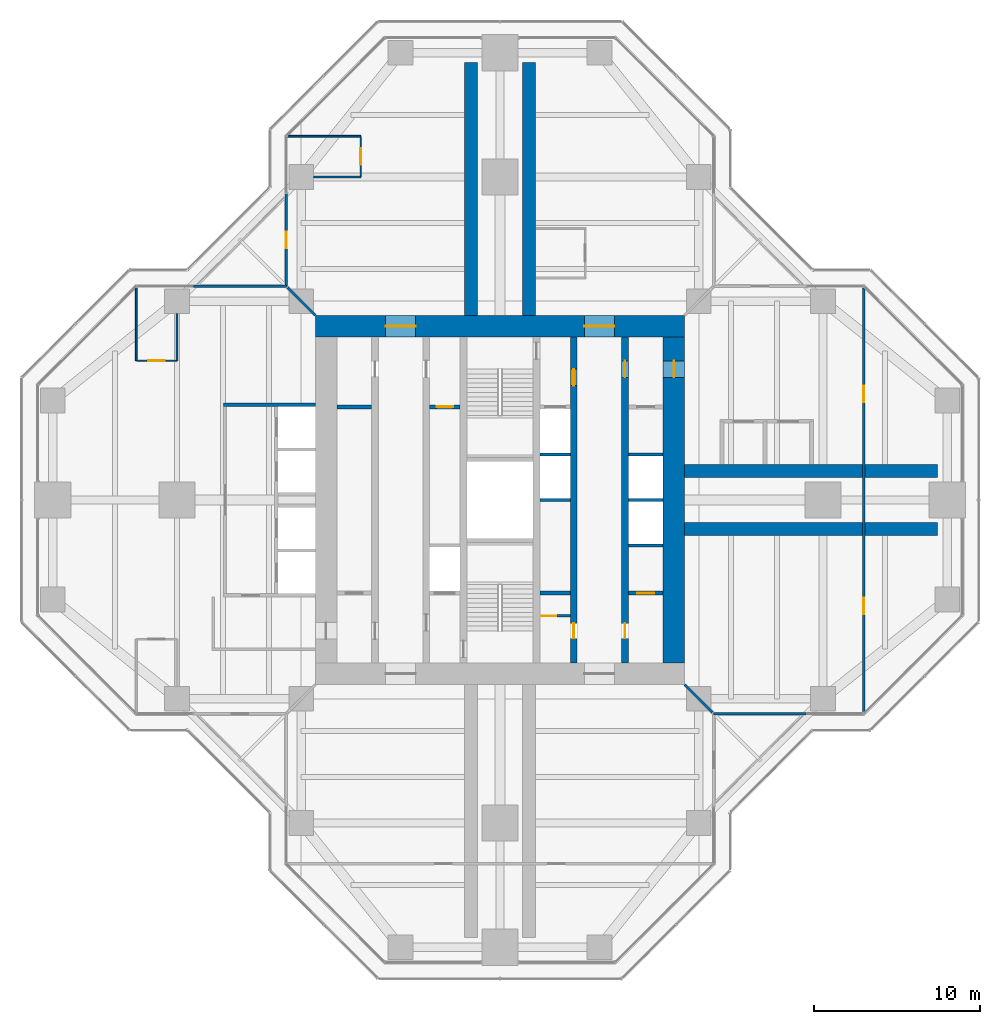
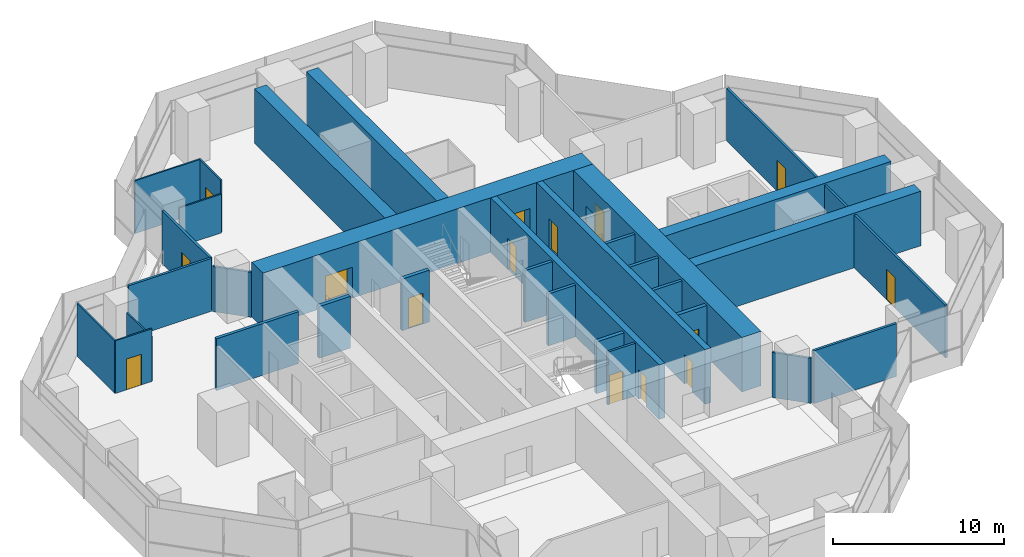
# One storey, part 14 of 17: 31 walls, 15 doors, 15 openings.
"""IFC4 building model written with IfcOpenShell, lengths in metres."""

from ifc_helpers import new_model, si_unit, direction, frame, frame_2d, origin, place, context, subcontext, project, spatial, rectangle, extrude, material, layer, layer_set, type_object, element, fill, save


model = new_model("IFC4")

# Units and contexts
model_context = context("Model", 3, precision=1e-05, world=origin(), true_north=direction((0.0, 1.0)))
body_context = subcontext(model_context, "Body", "Model", "MODEL_VIEW")
ifc_project = project(units=[si_unit("LENGTHUNIT", "METRE"), si_unit("AREAUNIT", "SQUARE_METRE"), si_unit("VOLUMEUNIT", "CUBIC_METRE"), si_unit("PLANEANGLEUNIT", "RADIAN"), si_unit("MASSUNIT", "GRAM", prefix="KILO")], contexts=[model_context])

# Site, building, storey
site_placement = place(None, origin())
site = spatial("IfcSite", under=ifc_project, at=site_placement, CompositionType="ELEMENT")
building_placement = place(site_placement, origin())
building = spatial("IfcBuilding", under=site, at=building_placement, Name="Mizan Broadcast Tower", CompositionType="ELEMENT")
storey_placement = place(building_placement, frame((0.0, 0.0, 208.800048828125)))
storey = spatial("IfcBuildingStorey", under=building, at=storey_placement, Name="L48", CompositionType="ELEMENT", Elevation=208.800048828125)

# Wall, openings, doors
ifc_material_1 = material(Name="Concrete C70/85", Category="concrete")
ifc_layer_1 = layer(ifc_material_1, 0.39990234375)
ifc_layer_set_1 = layer_set([ifc_layer_1], Name="Concrete C70/85")
wall_type_1 = type_object("IfcWallType", Name="CORE INTERNAL WALL 400", PredefinedType="SHEAR", material=ifc_layer_set_1)
wall_1_placement = place(storey_placement, frame((7.550048828125, 9.85009765625, 0.0), z_axis=(0.0, 0.0, 1.0), x_axis=(0.0, -1.0, 0.0)))
wall_1 = element("IfcWall", 1, at=wall_1_placement, inside=storey, type_object=wall_type_1, Name="Core wall CORE/XW1E", PredefinedType="SHEAR", context=body_context, shape_type="SweptSolid", body=[
    extrude(rectangle(XDim=19.7001953125, YDim=0.39990234375, at=frame_2d((9.85009765625, 0.0))), origin(), (0.0, 0.0, 1.0), 3.89990234375),
])
opening_1_placement = place(wall_1_placement, frame((1.449951171875, 0.0, 0.0)))
opening_1 = element("IfcOpeningElement", 2, at=opening_1_placement, cuts=wall_1, Name="Opening D10F", PredefinedType="OPENING", context=body_context, shape_type="SweptSolid", body=[
    extrude(rectangle(XDim=1.0, YDim=2.199951171875, at=frame_2d((0.5, 1.10009765625))), frame((0.0, 0.2099609375, 0.0), z_axis=(0.0, -1.0, 0.0), x_axis=(1.0, 0.0, 0.0)), (0.0, 0.0, 1.0), 0.419921875),
])
opening_2_placement = place(wall_1_placement, frame((17.300048828125, 0.0, 0.0)))
opening_2 = element("IfcOpeningElement", 3, at=opening_2_placement, cuts=wall_1, Name="Opening D09", PredefinedType="OPENING", context=body_context, shape_type="SweptSolid", body=[
    extrude(rectangle(XDim=0.89990234375, YDim=2.10009765625, at=frame_2d((0.449951171875, 1.050048828125))), frame((0.0, 0.2099609375, 0.0), z_axis=(0.0, -1.0, 0.0), x_axis=(1.0, 0.0, 0.0)), (0.0, 0.0, 1.0), 0.419921875),
])
ifc_material_2 = material(Name="Steel door leaf in steel frame", Category="steel")
door_type_1 = type_object("IfcDoorType", Name="FIRE DOOR 1000 FD90", OperationType="SINGLE_SWING_LEFT", PredefinedType="DOOR", material=ifc_material_2)
door_1_placement = place(opening_1_placement, origin())
door_1 = element("IfcDoor", 4, at=door_1_placement, inside=storey, type_object=door_type_1, Name="East core passage door", OperationType="SINGLE_SWING_LEFT", OverallHeight=2.199951171875, OverallWidth=1.0, PredefinedType="DOOR", context=body_context, shape_type="SweptSolid", body=[
    extrude(rectangle(XDim=1.0, YDim=2.199951171875, at=frame_2d((0.5, 1.10009765625))), frame((0.0, 0.02490234375, 0.0), z_axis=(0.0, -1.0, 0.0), x_axis=(1.0, 0.0, 0.0)), (0.0, 0.0, 1.0), 0.050048828125),
])
fill(opening_1, door_1)
ifc_material_3 = material(Name="Timber door leaf in aluminium frame", Category="wood")
door_type_2 = type_object("IfcDoorType", Name="TOILET DOOR 900", OperationType="SINGLE_SWING_LEFT", PredefinedType="DOOR", material=ifc_material_3)
door_2_placement = place(opening_2_placement, origin())
door_2 = element("IfcDoor", 5, at=door_2_placement, inside=storey, type_object=door_type_2, Name="Female WC door", OperationType="SINGLE_SWING_RIGHT", OverallHeight=2.10009765625, OverallWidth=0.89990234375, PredefinedType="DOOR", context=body_context, shape_type="SweptSolid", body=[
    extrude(rectangle(XDim=0.89990234375, YDim=2.10009765625, at=frame_2d((0.449951171875, 1.050048828125))), frame((0.0, 0.02490234375, 0.0), z_axis=(0.0, -1.0, 0.0), x_axis=(1.0, 0.0, 0.0)), (0.0, 0.0, 1.0), 0.050048828125),
])
fill(opening_2, door_2)

wall_2_placement = place(storey_placement, frame((4.449951171875, 9.85009765625, 0.0), z_axis=(0.0, 0.0, 1.0), x_axis=(0.0, -1.0, 0.0)))
wall_2 = element("IfcWall", 6, at=wall_2_placement, inside=storey, type_object=wall_type_1, Name="Core wall CORE/XWHE", PredefinedType="SHEAR", context=body_context, shape_type="SweptSolid", body=[
    extrude(rectangle(XDim=19.7001953125, YDim=0.39990234375, at=frame_2d((9.85009765625, 0.0))), origin(), (0.0, 0.0, 1.0), 3.89990234375),
])
opening_3_placement = place(wall_2_placement, frame((1.949951171875, 0.0, 0.0)))
opening_3 = element("IfcOpeningElement", 7, at=opening_3_placement, cuts=wall_2, Name="Opening D10F", PredefinedType="OPENING", context=body_context, shape_type="SweptSolid", body=[
    extrude(rectangle(XDim=1.0, YDim=2.199951171875, at=frame_2d((0.5, 1.10009765625))), frame((0.0, 0.2099609375, 0.0), z_axis=(0.0, -1.0, 0.0), x_axis=(1.0, 0.0, 0.0)), (0.0, 0.0, 1.0), 0.419921875),
])
opening_4_placement = place(wall_2_placement, frame((17.300048828125, 0.0, 0.0)))
opening_4 = element("IfcOpeningElement", 8, at=opening_4_placement, cuts=wall_2, Name="Opening D09", PredefinedType="OPENING", context=body_context, shape_type="SweptSolid", body=[
    extrude(rectangle(XDim=0.89990234375, YDim=2.10009765625, at=frame_2d((0.449951171875, 1.050048828125))), frame((0.0, 0.2099609375, 0.0), z_axis=(0.0, -1.0, 0.0), x_axis=(1.0, 0.0, 0.0)), (0.0, 0.0, 1.0), 0.419921875),
])
door_3_placement = place(opening_3_placement, origin())
door_3 = element("IfcDoor", 9, at=door_3_placement, inside=storey, type_object=door_type_1, Name="Firefighting lobby B door", OperationType="SINGLE_SWING_LEFT", OverallHeight=2.199951171875, OverallWidth=1.0, PredefinedType="DOOR", context=body_context, shape_type="SweptSolid", body=[
    extrude(rectangle(XDim=1.0, YDim=2.199951171875, at=frame_2d((0.5, 1.10009765625))), frame((0.0, 0.02490234375, 0.0), z_axis=(0.0, -1.0, 0.0), x_axis=(1.0, 0.0, 0.0)), (0.0, 0.0, 1.0), 0.050048828125),
])
fill(opening_3, door_3)
door_4_placement = place(opening_4_placement, origin())
door_4 = element("IfcDoor", 10, at=door_4_placement, inside=storey, type_object=door_type_2, Name="Cleaner's store door", OperationType="SINGLE_SWING_RIGHT", OverallHeight=2.10009765625, OverallWidth=0.89990234375, PredefinedType="DOOR", context=body_context, shape_type="SweptSolid", body=[
    extrude(rectangle(XDim=0.89990234375, YDim=2.10009765625, at=frame_2d((0.449951171875, 1.050048828125))), frame((0.0, 0.02490234375, 0.0), z_axis=(0.0, -1.0, 0.0), x_axis=(1.0, 0.0, 0.0)), (0.0, 0.0, 1.0), 0.050048828125),
])
fill(opening_4, door_4)

# Wall, opening, door
ifc_material_4 = material(Name="Concrete blockwork", Category="masonry")
ifc_layer_2 = layer(ifc_material_4, 0.14990234375)
ifc_layer_set_2 = layer_set([ifc_layer_2], Name="Concrete blockwork")
wall_type_2 = type_object("IfcWallType", Name="CORE PARTITION 150", PredefinedType="SOLIDWALL", material=ifc_layer_set_2)
wall_3_placement = place(storey_placement, frame((2.39990234375, -7.0, 0.0), z_axis=(0.0, 0.0, 1.0), x_axis=(1.0, 0.0, 0.0)))
wall_3 = element("IfcWall", 11, at=wall_3_placement, inside=storey, type_object=wall_type_2, Name="Core partition CORE/XPC", PredefinedType="SOLIDWALL", context=body_context, shape_type="SweptSolid", body=[
    extrude(rectangle(XDim=1.85009765625, YDim=0.14990234375, at=frame_2d((0.925048828125, 0.0))), origin(), (0.0, 0.0, 1.0), 3.77001953125),
])
opening_5_placement = place(wall_3_placement, frame((0.10009765625, 0.0, 0.0)))
opening_5 = element("IfcOpeningElement", 12, at=opening_5_placement, cuts=wall_3, Name="Opening D09F", PredefinedType="OPENING", context=body_context, shape_type="SweptSolid", body=[
    extrude(rectangle(XDim=0.89990234375, YDim=2.10009765625, at=frame_2d((0.449951171875, 1.050048828125))), frame((0.0, 0.0849609375, 0.0), z_axis=(0.0, -1.0, 0.0), x_axis=(1.0, 0.0, 0.0)), (0.0, 0.0, 1.0), 0.169921875),
])
ifc_material_5 = material(Name="Steel door leaf in steel frame", Category="steel")
door_type_3 = type_object("IfcDoorType", Name="CORE ROOM DOOR 900 FD90", OperationType="SINGLE_SWING_LEFT", PredefinedType="DOOR", material=ifc_material_5)
door_5_placement = place(opening_5_placement, origin())
door_5 = element("IfcDoor", 13, at=door_5_placement, inside=storey, type_object=door_type_3, Name="Waste store door", OperationType="SINGLE_SWING_LEFT", OverallHeight=2.10009765625, OverallWidth=0.89990234375, PredefinedType="DOOR", context=body_context, shape_type="SweptSolid", body=[
    extrude(rectangle(XDim=0.89990234375, YDim=2.10009765625, at=frame_2d((0.449951171875, 1.050048828125))), frame((0.0, 0.02490234375, 0.0), z_axis=(0.0, -1.0, 0.0), x_axis=(1.0, 0.0, 0.0)), (0.0, 0.0, 1.0), 0.050048828125),
])
fill(opening_5, door_5)

# Wall, openings, doors
ifc_material_6 = material(Name="Concrete C70/85", Category="concrete")
ifc_layer_3 = layer(ifc_material_6, 1.300048828125)
ifc_layer_set_3 = layer_set([ifc_layer_3], Name="Concrete C70/85")
wall_type_3 = type_object("IfcWallType", Name="CORE WALL 1300", PredefinedType="SHEAR", material=ifc_layer_set_3)
wall_4_placement = place(storey_placement, frame((-11.14990234375, 10.5, 0.0), z_axis=(0.0, 0.0, 1.0), x_axis=(1.0, 0.0, 0.0)))
wall_4 = element("IfcWall", 14, at=wall_4_placement, inside=storey, type_object=wall_type_3, Name="Core wall N L48", PredefinedType="SHEAR", context=body_context, shape_type="SweptSolid", body=[
    extrude(rectangle(XDim=22.2998046875, YDim=1.300048828125, at=frame_2d((11.14990234375, 0.0))), origin(), (0.0, 0.0, 1.0), 3.89990234375),
])
opening_6_placement = place(wall_4_placement, frame((4.25, 0.0, 0.0)))
opening_6 = element("IfcOpeningElement", 15, at=opening_6_placement, cuts=wall_4, Name="Opening D18F", PredefinedType="OPENING", context=body_context, shape_type="SweptSolid", body=[
    extrude(rectangle(XDim=1.800048828125, YDim=2.199951171875, at=frame_2d((0.89990234375, 1.10009765625))), frame((0.0, 0.659912109375, 0.0), z_axis=(0.0, -1.0, 0.0), x_axis=(1.0, 0.0, 0.0)), (0.0, 0.0, 1.0), 1.320068359375),
])
opening_7_placement = place(wall_4_placement, frame((16.25, 0.0, 0.0)))
opening_7 = element("IfcOpeningElement", 16, at=opening_7_placement, cuts=wall_4, Name="Opening D18F", PredefinedType="OPENING", context=body_context, shape_type="SweptSolid", body=[
    extrude(rectangle(XDim=1.800048828125, YDim=2.199951171875, at=frame_2d((0.89990234375, 1.10009765625))), frame((0.0, 0.659912109375, 0.0), z_axis=(0.0, -1.0, 0.0), x_axis=(1.0, 0.0, 0.0)), (0.0, 0.0, 1.0), 1.320068359375),
])
ifc_material_7 = material(Name="Steel door leaf in steel frame", Category="steel")
door_type_4 = type_object("IfcDoorType", Name="LOBBY DOUBLE DOOR 1800 FD90", OperationType="DOUBLE_DOOR_DOUBLE_SWING", PredefinedType="DOOR", material=ifc_material_7)
door_6_placement = place(opening_6_placement, origin())
door_6 = element("IfcDoor", 17, at=door_6_placement, inside=storey, type_object=door_type_4, Name="West lift lobby north door", OperationType="DOUBLE_DOOR_DOUBLE_SWING", OverallHeight=2.199951171875, OverallWidth=1.800048828125, PredefinedType="DOOR", context=body_context, shape_type="SweptSolid", body=[
    extrude(rectangle(XDim=1.800048828125, YDim=2.199951171875, at=frame_2d((0.89990234375, 1.10009765625))), frame((0.0, 0.02490234375, 0.0), z_axis=(0.0, -1.0, 0.0), x_axis=(1.0, 0.0, 0.0)), (0.0, 0.0, 1.0), 0.050048828125),
])
fill(opening_6, door_6)
door_7_placement = place(opening_7_placement, origin())
door_7 = element("IfcDoor", 18, at=door_7_placement, inside=storey, type_object=door_type_4, Name="East lift lobby north door", OperationType="DOUBLE_DOOR_DOUBLE_SWING", OverallHeight=2.199951171875, OverallWidth=1.800048828125, PredefinedType="DOOR", context=body_context, shape_type="SweptSolid", body=[
    extrude(rectangle(XDim=1.800048828125, YDim=2.199951171875, at=frame_2d((0.89990234375, 1.10009765625))), frame((0.0, 0.02490234375, 0.0), z_axis=(0.0, -1.0, 0.0), x_axis=(1.0, 0.0, 0.0)), (0.0, 0.0, 1.0), 0.050048828125),
])
fill(opening_7, door_7)

# Wall, opening, door
wall_5_placement = place(storey_placement, frame((10.5, -9.85009765625, 0.0), z_axis=(0.0, 0.0, 1.0), x_axis=(0.0, 1.0, 0.0)))
wall_5 = element("IfcWall", 19, at=wall_5_placement, inside=storey, type_object=wall_type_3, Name="Core wall E L48", PredefinedType="SHEAR", context=body_context, shape_type="SweptSolid", body=[
    extrude(rectangle(XDim=19.7001953125, YDim=1.300048828125, at=frame_2d((9.85009765625, 0.0))), origin(), (0.0, 0.0, 1.0), 3.89990234375),
])
opening_8_placement = place(wall_5_placement, frame((17.25, 0.0, 0.0)))
opening_8 = element("IfcOpeningElement", 20, at=opening_8_placement, cuts=wall_5, Name="Opening D10F", PredefinedType="OPENING", context=body_context, shape_type="SweptSolid", body=[
    extrude(rectangle(XDim=1.0, YDim=2.199951171875, at=frame_2d((0.5, 1.10009765625))), frame((0.0, 0.659912109375, 0.0), z_axis=(0.0, -1.0, 0.0), x_axis=(1.0, 0.0, 0.0)), (0.0, 0.0, 1.0), 1.320068359375),
])
door_8_placement = place(opening_8_placement, origin())
door_8 = element("IfcDoor", 21, at=door_8_placement, inside=storey, type_object=door_type_1, Name="East core passage arm door", OperationType="SINGLE_SWING_RIGHT", OverallHeight=2.199951171875, OverallWidth=1.0, PredefinedType="DOOR", context=body_context, shape_type="SweptSolid", body=[
    extrude(rectangle(XDim=1.0, YDim=2.199951171875, at=frame_2d((0.5, 1.10009765625))), frame((0.0, 0.02490234375, 0.0), z_axis=(0.0, -1.0, 0.0), x_axis=(1.0, 0.0, 0.0)), (0.0, 0.0, 1.0), 0.050048828125),
])
fill(opening_8, door_8)

# Wall
ifc_material_8 = material(Name="Aluminium framed glazed screen", Category="aluminium")
ifc_layer_4 = layer(ifc_material_8, 0.159912109375)
ifc_layer_set_4 = layer_set([ifc_layer_4], Name="Aluminium framed glazed screen")
wall_type_4 = type_object("IfcWallType", Name="GLAZED SCREEN WALL 160", PredefinedType="SOLIDWALL", material=ifc_layer_set_4)
wall_6_placement = place(storey_placement, frame((12.89990234375, -12.89990234375, 0.0), z_axis=(0.0, 0.0, 1.0), x_axis=(1.0, 0.0, 0.0)))
element("IfcWall", 22, at=wall_6_placement, inside=storey, type_object=wall_type_4, Name="Winter garden screen L48 E", PredefinedType="SOLIDWALL", context=body_context, shape_type="SweptSolid", body=[
    extrude(rectangle(XDim=5.60009765625, YDim=0.159912109375, at=frame_2d((2.800048828125, 0.0))), origin(), (0.0, 0.0, 1.0), 3.77001953125),
])

# Wall, opening, door
wall_7_placement = place(storey_placement, frame((-12.89990234375, 18.5, 0.0), z_axis=(0.0, 0.0, 1.0), x_axis=(0.0, -1.0, 0.0)))
wall_7 = element("IfcWall", 23, at=wall_7_placement, inside=storey, type_object=wall_type_4, Name="Winter garden screen L48 N", PredefinedType="SOLIDWALL", context=body_context, shape_type="SweptSolid", body=[
    extrude(rectangle(XDim=5.60009765625, YDim=0.159912109375, at=frame_2d((2.800048828125, 0.0))), origin(), (0.0, 0.0, 1.0), 3.77001953125),
])
opening_9_placement = place(wall_7_placement, frame((2.300048828125, 0.0, 0.0)))
opening_9 = element("IfcOpeningElement", 24, at=opening_9_placement, cuts=wall_7, Name="Opening WGD", PredefinedType="OPENING", context=body_context, shape_type="SweptSolid", body=[
    extrude(rectangle(XDim=1.0, YDim=2.199951171875, at=frame_2d((0.5, 1.10009765625))), frame((0.0, 0.08984375, 0.0), z_axis=(0.0, -1.0, 0.0), x_axis=(1.0, 0.0, 0.0)), (0.0, 0.0, 1.0), 0.179931640625),
])
ifc_material_9 = material(Name="Aluminium framed glazed door", Category="aluminium")
door_type_5 = type_object("IfcDoorType", Name="WINTER GARDEN DOOR 1000 GLAZED", OperationType="SINGLE_SWING_LEFT", PredefinedType="DOOR", material=ifc_material_9)
door_9_placement = place(opening_9_placement, origin())
door_9 = element("IfcDoor", 25, at=door_9_placement, inside=storey, type_object=door_type_5, Name="Winter garden door L48 N", OperationType="SINGLE_SWING_RIGHT", OverallHeight=2.199951171875, OverallWidth=1.0, PredefinedType="DOOR", context=body_context, shape_type="SweptSolid", body=[
    extrude(rectangle(XDim=1.0, YDim=2.199951171875, at=frame_2d((0.5, 1.10009765625))), frame((0.0, 0.02490234375, 0.0), z_axis=(0.0, -1.0, 0.0), x_axis=(1.0, 0.0, 0.0)), (0.0, 0.0, 1.0), 0.050048828125),
])
fill(opening_9, door_9)

# Walls
wall_8_placement = place(storey_placement, frame((-12.89990234375, 12.89990234375, 0.0), z_axis=(0.0, 0.0, 1.0), x_axis=(-1.0, 0.0, 0.0)))
element("IfcWall", 26, at=wall_8_placement, inside=storey, type_object=wall_type_4, Name="Winter garden screen L48 W", PredefinedType="SOLIDWALL", context=body_context, shape_type="SweptSolid", body=[
    extrude(rectangle(XDim=5.60009765625, YDim=0.159912109375, at=frame_2d((2.800048828125, 0.0))), origin(), (0.0, 0.0, 1.0), 3.77001953125),
])
ifc_material_10 = material(Name="Concrete blockwork", Category="masonry")
ifc_layer_5 = layer(ifc_material_10, 0.199951171875)
ifc_layer_set_5 = layer_set([ifc_layer_5], Name="Concrete blockwork")
wall_type_5 = type_object("IfcWallType", Name="LIFT SHAFT WALL 200", PredefinedType="SOLIDWALL", material=ifc_layer_set_5)
wall_9_placement = place(storey_placement, frame((7.75, -2.75, 0.0), z_axis=(0.0, 0.0, 1.0), x_axis=(1.0, 0.0, 0.0)))
element("IfcWall", 27, at=wall_9_placement, inside=storey, type_object=wall_type_5, Name="Lift shaft wall CORE/SE1-1", PredefinedType="SOLIDWALL", context=body_context, shape_type="SweptSolid", body=[
    extrude(rectangle(XDim=2.10009765625, YDim=0.199951171875, at=frame_2d((1.050048828125, 0.0))), origin(), (0.0, 0.0, 1.0), 3.699951171875),
])
wall_10_placement = place(storey_placement, frame((2.39990234375, 0.0, 0.0), z_axis=(0.0, 0.0, 1.0), x_axis=(1.0, 0.0, 0.0)))
element("IfcWall", 28, at=wall_10_placement, inside=storey, type_object=wall_type_5, Name="Lift shaft wall CORE/SE2-2", PredefinedType="SOLIDWALL", context=body_context, shape_type="SweptSolid", body=[
    extrude(rectangle(XDim=1.85009765625, YDim=0.199951171875, at=frame_2d((0.925048828125, 0.0))), origin(), (0.0, 0.0, 1.0), 3.699951171875),
])
wall_11_placement = place(storey_placement, frame((7.75, 0.0, 0.0), z_axis=(0.0, 0.0, 1.0), x_axis=(1.0, 0.0, 0.0)))
element("IfcWall", 29, at=wall_11_placement, inside=storey, type_object=wall_type_5, Name="Lift shaft wall CORE/SE1-2", PredefinedType="SOLIDWALL", context=body_context, shape_type="SweptSolid", body=[
    extrude(rectangle(XDim=2.10009765625, YDim=0.199951171875, at=frame_2d((1.050048828125, 0.0))), origin(), (0.0, 0.0, 1.0), 3.699951171875),
])
wall_12_placement = place(storey_placement, frame((2.39990234375, 2.75, 0.0), z_axis=(0.0, 0.0, 1.0), x_axis=(1.0, 0.0, 0.0)))
element("IfcWall", 30, at=wall_12_placement, inside=storey, type_object=wall_type_5, Name="Lift shaft wall CORE/SE2-3", PredefinedType="SOLIDWALL", context=body_context, shape_type="SweptSolid", body=[
    extrude(rectangle(XDim=1.85009765625, YDim=0.199951171875, at=frame_2d((0.925048828125, 0.0))), origin(), (0.0, 0.0, 1.0), 3.699951171875),
])
wall_13_placement = place(storey_placement, frame((7.75, 2.75, 0.0), z_axis=(0.0, 0.0, 1.0), x_axis=(1.0, 0.0, 0.0)))
element("IfcWall", 31, at=wall_13_placement, inside=storey, type_object=wall_type_5, Name="Lift shaft wall CORE/SE1-3", PredefinedType="SOLIDWALL", context=body_context, shape_type="SweptSolid", body=[
    extrude(rectangle(XDim=2.10009765625, YDim=0.199951171875, at=frame_2d((1.050048828125, 0.0))), origin(), (0.0, 0.0, 1.0), 3.699951171875),
])
wall_14_placement = place(storey_placement, frame((-11.14990234375, 5.75, 0.0), z_axis=(0.0, 0.0, 1.0), x_axis=(-1.0, 0.0, 0.0)))
element("IfcWall", 32, at=wall_14_placement, inside=storey, type_object=wall_type_5, Name="Lift shaft wall LC/S1", PredefinedType="SOLIDWALL", context=body_context, shape_type="SweptSolid", body=[
    extrude(rectangle(XDim=5.550048828125, YDim=0.199951171875, at=frame_2d((2.77490234375, 0.0))), origin(), (0.0, 0.0, 1.0), 3.699951171875),
])
ifc_material_11 = material(Name="Concrete blockwork", Category="masonry")
ifc_layer_6 = layer(ifc_material_11, 0.25)
ifc_layer_set_6 = layer_set([ifc_layer_6], Name="Concrete blockwork")
wall_type_6 = type_object("IfcWallType", Name="LOBBY ENCLOSURE WALL 250", PredefinedType="SOLIDWALL", material=ifc_layer_set_6)
wall_15_placement = place(storey_placement, frame((-9.85009765625, 5.625, 0.0), z_axis=(0.0, 0.0, 1.0), x_axis=(1.0, 0.0, 0.0)))
element("IfcWall", 33, at=wall_15_placement, inside=storey, type_object=wall_type_6, Name="Lobby enclosure wall CORE/BW1N", PredefinedType="SOLIDWALL", context=body_context, shape_type="SweptSolid", body=[
    extrude(rectangle(XDim=2.10009765625, YDim=0.25, at=frame_2d((1.050048828125, 0.0))), origin(), (0.0, 0.0, 1.0), 3.699951171875),
])

# Wall, opening, door
wall_16_placement = place(storey_placement, frame((-4.25, 5.625, 0.0), z_axis=(0.0, 0.0, 1.0), x_axis=(1.0, 0.0, 0.0)))
wall_16 = element("IfcWall", 34, at=wall_16_placement, inside=storey, type_object=wall_type_6, Name="Lobby enclosure wall CORE/BW2N", PredefinedType="SOLIDWALL", context=body_context, shape_type="SweptSolid", body=[
    extrude(rectangle(XDim=1.85009765625, YDim=0.25, at=frame_2d((0.925048828125, 0.0))), origin(), (0.0, 0.0, 1.0), 3.699951171875),
])
opening_10_placement = place(wall_16_placement, frame((0.425048828125, 0.0, 0.0)))
opening_10 = element("IfcOpeningElement", 35, at=opening_10_placement, cuts=wall_16, Name="Opening D10F", PredefinedType="OPENING", context=body_context, shape_type="SweptSolid", body=[
    extrude(rectangle(XDim=1.0, YDim=2.199951171875, at=frame_2d((0.5, 1.10009765625))), frame((0.0, 0.135009765625, 0.0), z_axis=(0.0, -1.0, 0.0), x_axis=(1.0, 0.0, 0.0)), (0.0, 0.0, 1.0), 0.27001953125),
])
door_10_placement = place(opening_10_placement, origin())
door_10 = element("IfcDoor", 36, at=door_10_placement, inside=storey, type_object=door_type_1, Name="Accessible shower room door", OperationType="SINGLE_SWING_RIGHT", OverallHeight=2.199951171875, OverallWidth=1.0, PredefinedType="DOOR", context=body_context, shape_type="SweptSolid", body=[
    extrude(rectangle(XDim=1.0, YDim=2.199951171875, at=frame_2d((0.5, 1.10009765625))), frame((0.0, 0.02490234375, 0.0), z_axis=(0.0, -1.0, 0.0), x_axis=(1.0, 0.0, 0.0)), (0.0, 0.0, 1.0), 0.050048828125),
])
fill(opening_10, door_10)

# Wall
wall_17_placement = place(storey_placement, frame((2.39990234375, -5.625, 0.0), z_axis=(0.0, 0.0, 1.0), x_axis=(1.0, 0.0, 0.0)))
element("IfcWall", 37, at=wall_17_placement, inside=storey, type_object=wall_type_6, Name="Lobby enclosure wall CORE/BE2S", PredefinedType="SOLIDWALL", context=body_context, shape_type="SweptSolid", body=[
    extrude(rectangle(XDim=1.85009765625, YDim=0.25, at=frame_2d((0.925048828125, 0.0))), origin(), (0.0, 0.0, 1.0), 3.699951171875),
])

# Wall, opening, door
wall_18_placement = place(storey_placement, frame((7.75, -5.625, 0.0), z_axis=(0.0, 0.0, 1.0), x_axis=(1.0, 0.0, 0.0)))
wall_18 = element("IfcWall", 38, at=wall_18_placement, inside=storey, type_object=wall_type_6, Name="Lobby enclosure wall CORE/BE1S", PredefinedType="SOLIDWALL", context=body_context, shape_type="SweptSolid", body=[
    extrude(rectangle(XDim=2.10009765625, YDim=0.25, at=frame_2d((1.050048828125, 0.0))), origin(), (0.0, 0.0, 1.0), 3.699951171875),
])
opening_11_placement = place(wall_18_placement, frame((0.550048828125, 0.0, 0.0)))
opening_11 = element("IfcOpeningElement", 39, at=opening_11_placement, cuts=wall_18, Name="Opening D10F", PredefinedType="OPENING", context=body_context, shape_type="SweptSolid", body=[
    extrude(rectangle(XDim=1.0, YDim=2.199951171875, at=frame_2d((0.5, 1.10009765625))), frame((0.0, 0.135009765625, 0.0), z_axis=(0.0, -1.0, 0.0), x_axis=(1.0, 0.0, 0.0)), (0.0, 0.0, 1.0), 0.27001953125),
])
door_11_placement = place(opening_11_placement, origin())
door_11 = element("IfcDoor", 40, at=door_11_placement, inside=storey, type_object=door_type_1, Name="Female staff shower room door", OperationType="SINGLE_SWING_LEFT", OverallHeight=2.199951171875, OverallWidth=1.0, PredefinedType="DOOR", context=body_context, shape_type="SweptSolid", body=[
    extrude(rectangle(XDim=1.0, YDim=2.199951171875, at=frame_2d((0.5, 1.10009765625))), frame((0.0, 0.02490234375, 0.0), z_axis=(0.0, -1.0, 0.0), x_axis=(1.0, 0.0, 0.0)), (0.0, 0.0, 1.0), 0.050048828125),
])
fill(opening_11, door_11)

# Wall, openings, doors
ifc_material_12 = material(Name="Gypsum board on steel studs", Category="steel")
ifc_layer_7 = layer(ifc_material_12, 0.14990234375)
ifc_layer_set_7 = layer_set([ifc_layer_7], Name="Gypsum board on steel studs")
wall_type_7 = type_object("IfcWallType", Name="PARTITION 150", PredefinedType="PARTITIONING", material=ifc_layer_set_7)
wall_19_placement = place(storey_placement, frame((21.958984375, -12.786376953125, 0.0), z_axis=(0.0, 0.0, 1.0), x_axis=(0.0, 1.0, 0.0)))
wall_19 = element("IfcWall", 41, at=wall_19_placement, inside=storey, type_object=wall_type_7, Name="Partition PT/EX1", PredefinedType="PARTITIONING", context=body_context, shape_type="SweptSolid", body=[
    extrude(rectangle(XDim=25.57275390625, YDim=0.14990234375, at=frame_2d((12.786376953125, 0.0))), origin(), (0.0, 0.0, 1.0), 3.77001953125),
])
opening_12_placement = place(wall_19_placement, frame((18.6865234375, 0.0, 0.0)))
opening_12 = element("IfcOpeningElement", 42, at=opening_12_placement, cuts=wall_19, Name="Opening D10", PredefinedType="OPENING", context=body_context, shape_type="SweptSolid", body=[
    extrude(rectangle(XDim=1.0, YDim=2.199951171875, at=frame_2d((0.5, 1.10009765625))), frame((0.0, 0.0849609375, 0.0), z_axis=(0.0, -1.0, 0.0), x_axis=(1.0, 0.0, 0.0)), (0.0, 0.0, 1.0), 0.169921875),
])
opening_13_placement = place(wall_19_placement, frame((5.886474609375, 0.0, 0.0)))
opening_13 = element("IfcOpeningElement", 43, at=opening_13_placement, cuts=wall_19, Name="Opening D10", PredefinedType="OPENING", context=body_context, shape_type="SweptSolid", body=[
    extrude(rectangle(XDim=1.0, YDim=2.199951171875, at=frame_2d((0.5, 1.10009765625))), frame((0.0, 0.0849609375, 0.0), z_axis=(0.0, -1.0, 0.0), x_axis=(1.0, 0.0, 0.0)), (0.0, 0.0, 1.0), 0.169921875),
])
ifc_material_13 = material(Name="Timber door leaf in aluminium frame", Category="wood")
door_type_6 = type_object("IfcDoorType", Name="ROOM DOOR 1000", OperationType="SINGLE_SWING_LEFT", PredefinedType="DOOR", material=ifc_material_13)
door_12_placement = place(opening_12_placement, origin())
door_12 = element("IfcDoor", 44, at=door_12_placement, inside=storey, type_object=door_type_6, Name="Meeting room door", OperationType="SINGLE_SWING_RIGHT", OverallHeight=2.199951171875, OverallWidth=1.0, PredefinedType="DOOR", context=body_context, shape_type="SweptSolid", body=[
    extrude(rectangle(XDim=1.0, YDim=2.199951171875, at=frame_2d((0.5, 1.10009765625))), frame((0.0, 0.02490234375, 0.0), z_axis=(0.0, -1.0, 0.0), x_axis=(1.0, 0.0, 0.0)), (0.0, 0.0, 1.0), 0.050048828125),
])
fill(opening_12, door_12)
door_13_placement = place(opening_13_placement, origin())
door_13 = element("IfcDoor", 45, at=door_13_placement, inside=storey, type_object=door_type_6, Name="Meeting room door", OperationType="SINGLE_SWING_LEFT", OverallHeight=2.199951171875, OverallWidth=1.0, PredefinedType="DOOR", context=body_context, shape_type="SweptSolid", body=[
    extrude(rectangle(XDim=1.0, YDim=2.199951171875, at=frame_2d((0.5, 1.10009765625))), frame((0.0, 0.02490234375, 0.0), z_axis=(0.0, -1.0, 0.0), x_axis=(1.0, 0.0, 0.0)), (0.0, 0.0, 1.0), 0.050048828125),
])
fill(opening_13, door_13)

# Walls
for number, where, z_axis, x_axis, name in (
    (46, (-11.14990234375, 11.14990234375, 0.0), (0.0, 0.0, 1.0), (-0.707106781187, 0.707106781187, 0.0), "Partition PT/DGWN"),
    (47, (11.14990234375, -11.14990234375, 0.0), (0.0, 0.0, 1.0), (0.707106781187, -0.707106781187, 0.0), "Partition PT/DGES"),
):
    element("IfcWall", number, at=place(storey_placement, frame(where, z_axis=z_axis, x_axis=x_axis)), inside=storey, type_object=wall_type_7, Name=name, PredefinedType="PARTITIONING", context=body_context, shape_type="SweptSolid", body=[
        extrude(rectangle(XDim=2.362060546875, YDim=0.14990234375, at=frame_2d((1.18115234375, 0.0))), origin(), (0.0, 0.0, 1.0), 3.219970703125),
    ])

# Wall, opening, door
ifc_material_14 = material(Name="Glazed aluminium partition on aluminium track", Category="aluminium")
ifc_layer_8 = layer(ifc_material_14, 0.10009765625)
ifc_layer_set_8 = layer_set([ifc_layer_8], Name="Glazed aluminium partition on aluminium track")
wall_type_8 = type_object("IfcWallType", Name="PARTITION GLAZED OFFICE FRONT 100", PredefinedType="PARTITIONING", material=ifc_layer_set_8)
wall_20_placement = place(storey_placement, frame((-8.39990234375, 19.5, 0.0), z_axis=(0.0, 0.0, 1.0), x_axis=(0.0, 1.0, 0.0)))
wall_20 = element("IfcWall", 48, at=wall_20_placement, inside=storey, type_object=wall_type_8, Name="Glazed office front PT/NCP0", PredefinedType="PARTITIONING", context=body_context, shape_type="SweptSolid", body=[
    extrude(rectangle(XDim=2.458984375, YDim=0.10009765625, at=frame_2d((1.2294921875, 0.0))), origin(), (0.0, 0.0, 1.0), 3.77001953125),
])
opening_14_placement = place(wall_20_placement, frame((0.7294921875, 0.0, 0.0)))
opening_14 = element("IfcOpeningElement", 49, at=opening_14_placement, cuts=wall_20, Name="Opening D10O", PredefinedType="OPENING", context=body_context, shape_type="SweptSolid", body=[
    extrude(rectangle(XDim=1.0, YDim=2.199951171875, at=frame_2d((0.5, 1.10009765625))), frame((0.0, 0.06005859375, 0.0), z_axis=(0.0, -1.0, 0.0), x_axis=(1.0, 0.0, 0.0)), (0.0, 0.0, 1.0), 0.1201171875),
])
ifc_material_15 = material(Name="Timber door leaf in aluminium frame", Category="wood")
door_type_7 = type_object("IfcDoorType", Name="OFFICE DOOR 1000 GLAZED", OperationType="SINGLE_SWING_LEFT", PredefinedType="DOOR", material=ifc_material_15)
door_14_placement = place(opening_14_placement, origin())
door_14 = element("IfcDoor", 50, at=door_14_placement, inside=storey, type_object=door_type_7, Name="Producer's office door", OperationType="SINGLE_SWING_LEFT", OverallHeight=2.199951171875, OverallWidth=1.0, PredefinedType="DOOR", context=body_context, shape_type="SweptSolid", body=[
    extrude(rectangle(XDim=1.0, YDim=2.199951171875, at=frame_2d((0.5, 1.10009765625))), frame((0.0, 0.02490234375, 0.0), z_axis=(0.0, -1.0, 0.0), x_axis=(1.0, 0.0, 0.0)), (0.0, 0.0, 1.0), 0.050048828125),
])
fill(opening_14, door_14)

# Walls
wall_21_placement = place(storey_placement, frame((-8.39990234375, 19.5, 0.0), z_axis=(0.0, 0.0, 1.0), x_axis=(-1.0, 0.0, 0.0)))
element("IfcWall", 51, at=wall_21_placement, inside=storey, type_object=wall_type_8, Name="Glazed office front PT/NQP1950", PredefinedType="PARTITIONING", context=body_context, shape_type="SweptSolid", body=[
    extrude(rectangle(XDim=2.85009765625, YDim=0.10009765625, at=frame_2d((1.425048828125, 0.0))), origin(), (0.0, 0.0, 1.0), 2.77001953125),
])
wall_22_placement = place(storey_placement, frame((-8.39990234375, 21.958984375, 0.0), z_axis=(0.0, 0.0, 1.0), x_axis=(-1.0, 0.0, 0.0)))
element("IfcWall", 52, at=wall_22_placement, inside=storey, type_object=wall_type_8, Name="Glazed office front PT/NQP2196", PredefinedType="PARTITIONING", context=body_context, shape_type="SweptSolid", body=[
    extrude(rectangle(XDim=4.420166015625, YDim=0.10009765625, at=frame_2d((2.2099609375, 0.0))), origin(), (0.0, 0.0, 1.0), 3.77001953125),
])

# Wall, opening, door
wall_23_placement = place(storey_placement, frame((-19.5, 8.39990234375, 0.0), z_axis=(0.0, 0.0, 1.0), x_axis=(-1.0, 0.0, 0.0)))
wall_23 = element("IfcWall", 53, at=wall_23_placement, inside=storey, type_object=wall_type_8, Name="Glazed office front PT/WCN0", PredefinedType="PARTITIONING", context=body_context, shape_type="SweptSolid", body=[
    extrude(rectangle(XDim=2.458984375, YDim=0.10009765625, at=frame_2d((1.2294921875, 0.0))), origin(), (0.0, 0.0, 1.0), 3.77001953125),
])
opening_15_placement = place(wall_23_placement, frame((0.7294921875, 0.0, 0.0)))
opening_15 = element("IfcOpeningElement", 54, at=opening_15_placement, cuts=wall_23, Name="Opening D10O", PredefinedType="OPENING", context=body_context, shape_type="SweptSolid", body=[
    extrude(rectangle(XDim=1.0, YDim=2.199951171875, at=frame_2d((0.5, 1.10009765625))), frame((0.0, 0.06005859375, 0.0), z_axis=(0.0, -1.0, 0.0), x_axis=(1.0, 0.0, 0.0)), (0.0, 0.0, 1.0), 0.1201171875),
])
door_15_placement = place(opening_15_placement, origin())
door_15 = element("IfcDoor", 55, at=door_15_placement, inside=storey, type_object=door_type_7, Name="Office door", OperationType="SINGLE_SWING_LEFT", OverallHeight=2.199951171875, OverallWidth=1.0, PredefinedType="DOOR", context=body_context, shape_type="SweptSolid", body=[
    extrude(rectangle(XDim=1.0, YDim=2.199951171875, at=frame_2d((0.5, 1.10009765625))), frame((0.0, 0.02490234375, 0.0), z_axis=(0.0, -1.0, 0.0), x_axis=(1.0, 0.0, 0.0)), (0.0, 0.0, 1.0), 0.050048828125),
])
fill(opening_15, door_15)

# Walls
wall_24_placement = place(storey_placement, frame((-19.5, 8.39990234375, 0.0), z_axis=(0.0, 0.0, 1.0), x_axis=(0.0, 1.0, 0.0)))
element("IfcWall", 56, at=wall_24_placement, inside=storey, type_object=wall_type_8, Name="Glazed office front PT/WQN1950", PredefinedType="PARTITIONING", context=body_context, shape_type="SweptSolid", body=[
    extrude(rectangle(XDim=2.85009765625, YDim=0.10009765625, at=frame_2d((1.425048828125, 0.0))), origin(), (0.0, 0.0, 1.0), 3.179931640625),
])
wall_25_placement = place(storey_placement, frame((-21.958984375, 8.39990234375, 0.0), z_axis=(0.0, 0.0, 1.0), x_axis=(0.0, 1.0, 0.0)))
element("IfcWall", 57, at=wall_25_placement, inside=storey, type_object=wall_type_8, Name="Glazed office front PT/WQN2196", PredefinedType="PARTITIONING", context=body_context, shape_type="SweptSolid", body=[
    extrude(rectangle(XDim=4.420166015625, YDim=0.10009765625, at=frame_2d((2.2099609375, 0.0))), origin(), (0.0, 0.0, 1.0), 3.77001953125),
])
ifc_material_16 = material(Name="Concrete C70/85", Category="concrete")
ifc_layer_9 = layer(ifc_material_16, 0.800048828125)
ifc_layer_set_9 = layer_set([ifc_layer_9], Name="Concrete C70/85")
wall_type_9 = type_object("IfcWallType", Name="SPINE WALL 800", PredefinedType="SHEAR", material=ifc_layer_set_9)
for number, where, z_axis, x_axis, name in (
    (58, (11.14990234375, -1.75, 0.0), (0.0, 0.0, 1.0), (1.0, 0.0, 0.0), "Spine wall ER L48"),
    (59, (11.14990234375, 1.75, 0.0), (0.0, 0.0, 1.0), (1.0, 0.0, 0.0), "Spine wall EL L48"),
    (60, (1.75, 11.14990234375, 0.0), (0.0, 0.0, 1.0), (0.0, 1.0, 0.0), "Spine wall NR L48"),
    (61, (-1.75, 11.14990234375, 0.0), (0.0, 0.0, 1.0), (0.0, 1.0, 0.0), "Spine wall NL L48"),
):
    element("IfcWall", number, at=place(storey_placement, frame(where, z_axis=z_axis, x_axis=x_axis)), inside=storey, type_object=wall_type_9, Name=name, PredefinedType="SHEAR", context=body_context, shape_type="SweptSolid", body=[
        extrude(rectangle(XDim=15.25, YDim=0.800048828125, at=frame_2d((7.625, 0.0))), origin(), (0.0, 0.0, 1.0), 3.89990234375),
    ])

save(model, "model.ifc")
